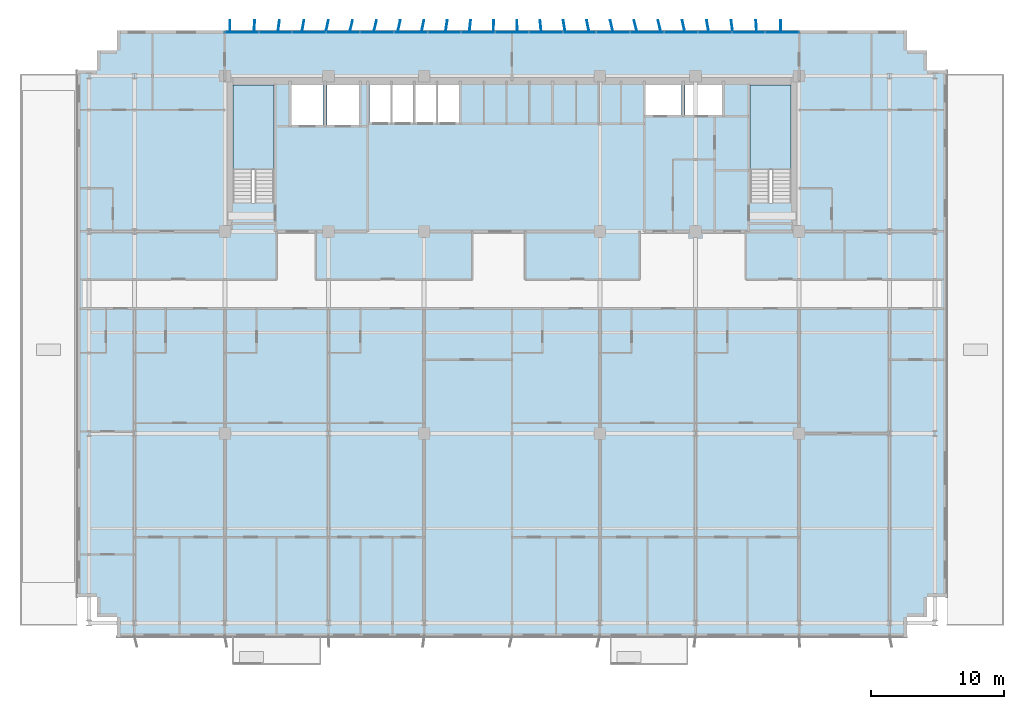
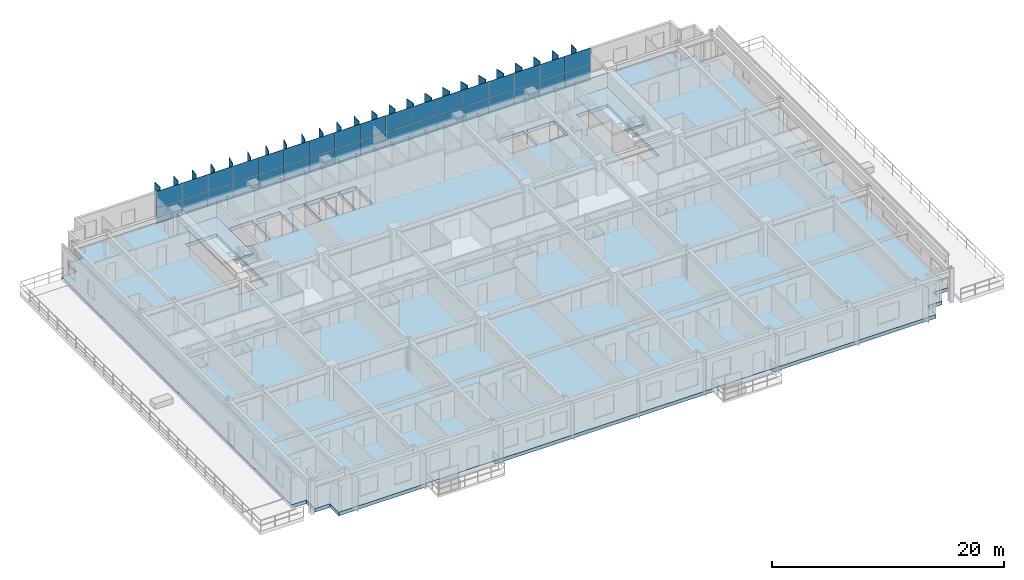
# One storey, part 14 of 26: 58 plates, 3 slabs, 3 elements without a shape of their own.
"""IFC4 building model written with IfcOpenShell, lengths in metres."""

from ifc_helpers import new_model, si_unit, direction, frame, origin, origin_2d, place, context, subcontext, project, spatial, polyline, rectangle, outline, extrude, source, transform, mapped, material, layer, layer_set, type_object, element, aggregate, save


model = new_model("IFC4")

# Units and contexts
model_context = context("Model", 3, precision=1e-05, world=origin(), true_north=direction((0.0, 1.0)))
body_context = subcontext(model_context, "Body", "Model", "MODEL_VIEW")
ifc_project = project(units=[si_unit("LENGTHUNIT", "METRE"), si_unit("AREAUNIT", "SQUARE_METRE"), si_unit("VOLUMEUNIT", "CUBIC_METRE"), si_unit("PLANEANGLEUNIT", "RADIAN"), si_unit("MASSUNIT", "GRAM", prefix="KILO")], contexts=[model_context])

# Site, building, storey
site_placement = place(None, origin())
site = spatial("IfcSite", under=ifc_project, at=site_placement, CompositionType="ELEMENT")
building_placement = place(site_placement, origin())
building = spatial("IfcBuilding", under=site, at=building_placement, Name="Trelvane Seafront Commons", CompositionType="ELEMENT")
storey_placement = place(building_placement, frame((0.0, 0.0, 23.5)))
storey = spatial("IfcBuildingStorey", under=building, at=storey_placement, Name="L05", CompositionType="ELEMENT", Elevation=23.5)

# Stair, slab
ifc_material_1 = material(Name="Concrete C40/50", Category="concrete")
stair_type_1 = type_object("IfcStairType", Name="ARCH-STR-ST-1-R20-180", PredefinedType="HALF_TURN_STAIR", material=ifc_material_1)
stair_1_placement = place(storey_placement, origin())
stair_1 = element("IfcStair", 1, at=stair_1_placement, inside=storey, type_object=stair_type_1, Name="L05 West Protected Firefighting Exit Stair ST-1", PredefinedType="HALF_TURN_STAIR")
ifc_layer_1 = layer(ifc_material_1, 0.199951171875, Name="ARCH-LND-200")
ifc_layer_set_1 = layer_set([ifc_layer_1], Name="Concrete C40/50")
slab_type_1 = type_object("IfcSlabType", Name="ARCH-LND-200", PredefinedType="LANDING", material=ifc_layer_set_1)
slab_1_placement = place(storey_placement, frame((0.0, 0.0, 1.60009765625)))
slab_1 = element("IfcSlab", 2, at=slab_1_placement, type_object=slab_type_1, Name="ST-1 landing 1", PredefinedType="LANDING", context=body_context, shape_type="SweptSolid", body=[
    extrude(outline(polyline([(19.300048828125, 38.070068359375), (19.300048828125, 44.39990234375), (16.199951171875, 44.39990234375), (16.199951171875, 38.070068359375), (19.300048828125, 38.070068359375)])), origin(), (0.0, 0.0, 1.0), 0.199951171875),
])
aggregate(stair_1, [slab_1])

stair_type_2 = type_object("IfcStairType", Name="ARCH-STR-ST-2-R20-180", PredefinedType="HALF_TURN_STAIR", material=ifc_material_1)
stair_2_placement = place(storey_placement, origin())
stair_2 = element("IfcStair", 3, at=stair_2_placement, inside=storey, type_object=stair_type_2, Name="L05 East Protected Firefighting Exit Stair ST-2", PredefinedType="HALF_TURN_STAIR")
slab_2_placement = place(storey_placement, frame((0.0, 0.0, 1.60009765625)))
slab_2 = element("IfcSlab", 4, at=slab_2_placement, type_object=slab_type_1, Name="ST-2 landing 1", PredefinedType="LANDING", context=body_context, shape_type="SweptSolid", body=[
    extrude(outline(polyline([(58.199951171875, 38.070068359375), (58.199951171875, 44.39990234375), (55.10009765625, 44.39990234375), (55.10009765625, 38.070068359375), (58.199951171875, 38.070068359375)])), origin(), (0.0, 0.0, 1.0), 0.199951171875),
])
aggregate(stair_2, [slab_2])

# Slab
ifc_material_2 = material(Name="Concrete C60/75", Category="concrete")
ifc_layer_2 = layer(ifc_material_2, 0.3798828125, Name="STR-SLB-T380")
ifc_layer_set_2 = layer_set([ifc_layer_2], Name="Concrete C60/75")
slab_type_2 = type_object("IfcSlabType", Name="STR-SLB-T380", PredefinedType="FLOOR", material=ifc_layer_set_2)
slab_3_placement = place(storey_placement, frame((0.0, 0.0, -0.3798828125)))
element("IfcSlab", 5, at=slab_3_placement, inside=storey, type_object=slab_type_2, Name="L05 Structural Floor Slab", PredefinedType="FLOOR", context=body_context, shape_type="SweptSolid", body=[
    extrude(outline(polyline([(7.5, 2.89990234375), (66.89990234375, 2.89990234375), (66.89990234375, 4.39990234375), (68.39990234375, 4.39990234375), (68.39990234375, 5.89990234375), (69.89990234375, 5.89990234375), (69.89990234375, 45.5), (68.39990234375, 45.5), (68.39990234375, 47.0), (66.89990234375, 47.0), (66.89990234375, 48.5), (7.5, 48.5), (7.5, 47.0), (6.0, 47.0), (6.0, 45.5), (4.5, 45.5), (4.5, 5.89990234375), (6.0, 5.89990234375), (6.0, 4.39990234375), (7.5, 4.39990234375), (7.5, 2.89990234375)]), holes=[polyline([(19.300048828125, 35.550048828125), (16.199951171875, 35.550048828125), (16.199951171875, 44.39990234375), (19.300048828125, 44.39990234375), (19.300048828125, 35.550048828125)]), polyline([(58.199951171875, 35.550048828125), (55.10009765625, 35.550048828125), (55.10009765625, 44.39990234375), (58.199951171875, 44.39990234375), (58.199951171875, 35.550048828125)]), polyline([(23.0, 41.39990234375), (20.60009765625, 41.39990234375), (20.60009765625, 44.60009765625), (23.0, 44.60009765625), (23.0, 41.39990234375)]), polyline([(23.300048828125, 41.39990234375), (23.300048828125, 44.60009765625), (25.699951171875, 44.60009765625), (25.699951171875, 41.39990234375), (23.300048828125, 41.39990234375)]), polyline([(26.5, 41.60009765625), (26.5, 44.60009765625), (28.1201171875, 44.60009765625), (28.1201171875, 41.60009765625), (26.5, 41.60009765625)]), polyline([(29.820068359375, 41.60009765625), (28.199951171875, 41.60009765625), (28.199951171875, 44.60009765625), (29.820068359375, 44.60009765625), (29.820068359375, 41.60009765625)]), polyline([(31.52001953125, 41.60009765625), (29.89990234375, 41.60009765625), (29.89990234375, 44.60009765625), (31.52001953125, 44.60009765625), (31.52001953125, 41.60009765625)]), polyline([(33.219970703125, 41.60009765625), (31.60009765625, 41.60009765625), (31.60009765625, 44.60009765625), (33.219970703125, 44.60009765625), (33.219970703125, 41.60009765625)]), polyline([(47.25, 42.14990234375), (47.25, 44.550048828125), (49.949951171875, 44.550048828125), (49.949951171875, 42.14990234375), (47.25, 42.14990234375)]), polyline([(50.199951171875, 42.14990234375), (50.199951171875, 44.550048828125), (53.0, 44.550048828125), (53.0, 42.14990234375), (50.199951171875, 42.14990234375)])]), origin(), (0.0, 0.0, 1.0), 0.3798828125),
])

# Curtain wall, plates
ifc_material_3 = material(Name="Anodised pale-silver aluminium", Category="aluminium")
curtain_wall_type = type_object("IfcCurtainWallType", Name="ARCH-CW2-LOWTOWER", PredefinedType="NOTDEFINED", material=ifc_material_3)
curtain_wall_placement = place(storey_placement, origin())
curtain_wall = element("IfcCurtainWall", 6, at=curtain_wall_placement, inside=storey, type_object=curtain_wall_type, Name="CW-L05-0029", PredefinedType="NOTDEFINED")
ifc_material_4 = material(Name="Low-E coastal double glazing", Category="glass")
ifc_layer_3 = layer(ifc_material_4, 0.033935546875, Name="ARCH-CW-GLAZ-34")
ifc_layer_set_3 = layer_set([ifc_layer_3], Name="Low-E coastal double glazing")
plate_type_1 = type_object("IfcPlateType", Name="ARCH-CW-GLAZ-34", PredefinedType="CURTAIN_PANEL", material=ifc_layer_set_3)
shared_shape_1 = source(origin(), body_context, "Body", "SweptSolid", [
    extrude(rectangle(XDim=2.51708984375, YDim=0.031982421875, at=origin_2d()), origin(), (0.0, 0.0, 1.0), 1.5849609375),
])
plate_1_placement = place(storey_placement, frame((16.87060546875, 48.3701171875, 0.0), z_axis=(0.0, 0.0, 1.0), x_axis=(1.0, 0.0, 0.0)))
plate_1 = element("IfcPlate", 7, at=plate_1_placement, type_object=plate_type_1, Name="CW-L05-0029-P00-1", PredefinedType="CURTAIN_PANEL", context=body_context, shape_type="MappedRepresentation", body=[
    mapped(shared_shape_1, transform((0.0, 0.0, 0.0), x_axis=(1.0, 0.0, 0.0), y_axis=(0.0, 1.0, 0.0), z_axis=(0.0, 0.0, 1.0), scale=1.0)),
])
plate_2_placement = place(storey_placement, frame((19.411865234375, 48.3701171875, 0.0), z_axis=(0.0, 0.0, 1.0), x_axis=(1.0, 0.0, 0.0)))
plate_2 = element("IfcPlate", 8, at=plate_2_placement, type_object=plate_type_1, Name="CW-L05-0029-P01-1", PredefinedType="CURTAIN_PANEL", context=body_context, shape_type="MappedRepresentation", body=[
    mapped(shared_shape_1, transform((0.0, 0.0, 0.0), x_axis=(1.0, 0.0, 0.0), y_axis=(0.0, 1.0, 0.0), z_axis=(0.0, 0.0, 1.0), scale=1.0)),
])
plate_3_placement = place(storey_placement, frame((21.952880859375, 48.3701171875, 0.0), z_axis=(0.0, 0.0, 1.0), x_axis=(1.0, 0.0, 0.0)))
plate_3 = element("IfcPlate", 9, at=plate_3_placement, type_object=plate_type_1, Name="CW-L05-0029-P02-1", PredefinedType="CURTAIN_PANEL", context=body_context, shape_type="MappedRepresentation", body=[
    mapped(shared_shape_1, transform((0.0, 0.0, 0.0), x_axis=(1.0, 0.0, 0.0), y_axis=(0.0, 1.0, 0.0), z_axis=(0.0, 0.0, 1.0), scale=1.0)),
])
plate_4_placement = place(storey_placement, frame((24.494140625, 48.3701171875, 0.0), z_axis=(0.0, 0.0, 1.0), x_axis=(1.0, 0.0, 0.0)))
plate_4 = element("IfcPlate", 10, at=plate_4_placement, type_object=plate_type_1, Name="CW-L05-0029-P03-1", PredefinedType="CURTAIN_PANEL", context=body_context, shape_type="MappedRepresentation", body=[
    mapped(shared_shape_1, transform((0.0, 0.0, 0.0), x_axis=(1.0, 0.0, 0.0), y_axis=(0.0, 1.0, 0.0), z_axis=(0.0, 0.0, 1.0), scale=1.0)),
])
plate_5_placement = place(storey_placement, frame((27.035400390625, 48.3701171875, 0.0), z_axis=(0.0, 0.0, 1.0), x_axis=(1.0, 0.0, 0.0)))
plate_5 = element("IfcPlate", 11, at=plate_5_placement, type_object=plate_type_1, Name="CW-L05-0029-P04-1", PredefinedType="CURTAIN_PANEL", context=body_context, shape_type="MappedRepresentation", body=[
    mapped(shared_shape_1, transform((0.0, 0.0, 0.0), x_axis=(1.0, 0.0, 0.0), y_axis=(0.0, 1.0, 0.0), z_axis=(0.0, 0.0, 1.0), scale=1.0)),
])
plate_6_placement = place(storey_placement, frame((29.576416015625, 48.3701171875, 0.0), z_axis=(0.0, 0.0, 1.0), x_axis=(1.0, 0.0, 0.0)))
plate_6 = element("IfcPlate", 12, at=plate_6_placement, type_object=plate_type_1, Name="CW-L05-0029-P05-1", PredefinedType="CURTAIN_PANEL", context=body_context, shape_type="MappedRepresentation", body=[
    mapped(shared_shape_1, transform((0.0, 0.0, 0.0), x_axis=(1.0, 0.0, 0.0), y_axis=(0.0, 1.0, 0.0), z_axis=(0.0, 0.0, 1.0), scale=1.0)),
])
plate_7_placement = place(storey_placement, frame((32.11767578125, 48.3701171875, 0.0), z_axis=(0.0, 0.0, 1.0), x_axis=(1.0, 0.0, 0.0)))
plate_7 = element("IfcPlate", 13, at=plate_7_placement, type_object=plate_type_1, Name="CW-L05-0029-P06-1", PredefinedType="CURTAIN_PANEL", context=body_context, shape_type="MappedRepresentation", body=[
    mapped(shared_shape_1, transform((0.0, 0.0, 0.0), x_axis=(1.0, 0.0, 0.0), y_axis=(0.0, 1.0, 0.0), z_axis=(0.0, 0.0, 1.0), scale=1.0)),
])
plate_8_placement = place(storey_placement, frame((34.65869140625, 48.3701171875, 0.0), z_axis=(0.0, 0.0, 1.0), x_axis=(1.0, 0.0, 0.0)))
plate_8 = element("IfcPlate", 14, at=plate_8_placement, type_object=plate_type_1, Name="CW-L05-0029-P07-1", PredefinedType="CURTAIN_PANEL", context=body_context, shape_type="MappedRepresentation", body=[
    mapped(shared_shape_1, transform((0.0, 0.0, 0.0), x_axis=(1.0, 0.0, 0.0), y_axis=(0.0, 1.0, 0.0), z_axis=(0.0, 0.0, 1.0), scale=1.0)),
])
plate_9_placement = place(storey_placement, frame((37.199951171875, 48.3701171875, 0.0), z_axis=(0.0, 0.0, 1.0), x_axis=(1.0, 0.0, 0.0)))
plate_9 = element("IfcPlate", 15, at=plate_9_placement, type_object=plate_type_1, Name="CW-L05-0029-P08-1", PredefinedType="CURTAIN_PANEL", context=body_context, shape_type="MappedRepresentation", body=[
    mapped(shared_shape_1, transform((0.0, 0.0, 0.0), x_axis=(1.0, 0.0, 0.0), y_axis=(0.0, 1.0, 0.0), z_axis=(0.0, 0.0, 1.0), scale=1.0)),
])
plate_10_placement = place(storey_placement, frame((39.7412109375, 48.3701171875, 0.0), z_axis=(0.0, 0.0, 1.0), x_axis=(1.0, 0.0, 0.0)))
plate_10 = element("IfcPlate", 16, at=plate_10_placement, type_object=plate_type_1, Name="CW-L05-0029-P09-1", PredefinedType="CURTAIN_PANEL", context=body_context, shape_type="MappedRepresentation", body=[
    mapped(shared_shape_1, transform((0.0, 0.0, 0.0), x_axis=(1.0, 0.0, 0.0), y_axis=(0.0, 1.0, 0.0), z_axis=(0.0, 0.0, 1.0), scale=1.0)),
])
plate_11_placement = place(storey_placement, frame((42.282470703125, 48.3701171875, 0.0), z_axis=(0.0, 0.0, 1.0), x_axis=(1.0, 0.0, 0.0)))
plate_11 = element("IfcPlate", 17, at=plate_11_placement, type_object=plate_type_1, Name="CW-L05-0029-P10-1", PredefinedType="CURTAIN_PANEL", context=body_context, shape_type="MappedRepresentation", body=[
    mapped(shared_shape_1, transform((0.0, 0.0, 0.0), x_axis=(1.0, 0.0, 0.0), y_axis=(0.0, 1.0, 0.0), z_axis=(0.0, 0.0, 1.0), scale=1.0)),
])
plate_12_placement = place(storey_placement, frame((44.823486328125, 48.3701171875, 0.0), z_axis=(0.0, 0.0, 1.0), x_axis=(1.0, 0.0, 0.0)))
plate_12 = element("IfcPlate", 18, at=plate_12_placement, type_object=plate_type_1, Name="CW-L05-0029-P11-1", PredefinedType="CURTAIN_PANEL", context=body_context, shape_type="MappedRepresentation", body=[
    mapped(shared_shape_1, transform((0.0, 0.0, 0.0), x_axis=(1.0, 0.0, 0.0), y_axis=(0.0, 1.0, 0.0), z_axis=(0.0, 0.0, 1.0), scale=1.0)),
])
plate_13_placement = place(storey_placement, frame((47.36474609375, 48.3701171875, 0.0), z_axis=(0.0, 0.0, 1.0), x_axis=(1.0, 0.0, 0.0)))
plate_13 = element("IfcPlate", 19, at=plate_13_placement, type_object=plate_type_1, Name="CW-L05-0029-P12-1", PredefinedType="CURTAIN_PANEL", context=body_context, shape_type="MappedRepresentation", body=[
    mapped(shared_shape_1, transform((0.0, 0.0, 0.0), x_axis=(1.0, 0.0, 0.0), y_axis=(0.0, 1.0, 0.0), z_axis=(0.0, 0.0, 1.0), scale=1.0)),
])
plate_14_placement = place(storey_placement, frame((49.906005859375, 48.3701171875, 0.0), z_axis=(0.0, 0.0, 1.0), x_axis=(1.0, 0.0, 0.0)))
plate_14 = element("IfcPlate", 20, at=plate_14_placement, type_object=plate_type_1, Name="CW-L05-0029-P13-1", PredefinedType="CURTAIN_PANEL", context=body_context, shape_type="MappedRepresentation", body=[
    mapped(shared_shape_1, transform((0.0, 0.0, 0.0), x_axis=(1.0, 0.0, 0.0), y_axis=(0.0, 1.0, 0.0), z_axis=(0.0, 0.0, 1.0), scale=1.0)),
])
plate_15_placement = place(storey_placement, frame((52.447021484375, 48.3701171875, 0.0), z_axis=(0.0, 0.0, 1.0), x_axis=(1.0, 0.0, 0.0)))
plate_15 = element("IfcPlate", 21, at=plate_15_placement, type_object=plate_type_1, Name="CW-L05-0029-P14-1", PredefinedType="CURTAIN_PANEL", context=body_context, shape_type="MappedRepresentation", body=[
    mapped(shared_shape_1, transform((0.0, 0.0, 0.0), x_axis=(1.0, 0.0, 0.0), y_axis=(0.0, 1.0, 0.0), z_axis=(0.0, 0.0, 1.0), scale=1.0)),
])
plate_16_placement = place(storey_placement, frame((54.98828125, 48.3701171875, 0.0), z_axis=(0.0, 0.0, 1.0), x_axis=(1.0, 0.0, 0.0)))
plate_16 = element("IfcPlate", 22, at=plate_16_placement, type_object=plate_type_1, Name="CW-L05-0029-P15-1", PredefinedType="CURTAIN_PANEL", context=body_context, shape_type="MappedRepresentation", body=[
    mapped(shared_shape_1, transform((0.0, 0.0, 0.0), x_axis=(1.0, 0.0, 0.0), y_axis=(0.0, 1.0, 0.0), z_axis=(0.0, 0.0, 1.0), scale=1.0)),
])
plate_17_placement = place(storey_placement, frame((57.529296875, 48.3701171875, 0.0), z_axis=(0.0, 0.0, 1.0), x_axis=(1.0, 0.0, 0.0)))
plate_17 = element("IfcPlate", 23, at=plate_17_placement, type_object=plate_type_1, Name="CW-L05-0029-P16-1", PredefinedType="CURTAIN_PANEL", context=body_context, shape_type="MappedRepresentation", body=[
    mapped(shared_shape_1, transform((0.0, 0.0, 0.0), x_axis=(1.0, 0.0, 0.0), y_axis=(0.0, 1.0, 0.0), z_axis=(0.0, 0.0, 1.0), scale=1.0)),
])
shared_shape_2 = source(origin(), body_context, "Body", "SweptSolid", [
    extrude(rectangle(XDim=2.51708984375, YDim=0.031982421875, at=origin_2d()), origin(), (0.0, 0.0, 1.0), 1.718994140625),
])
plate_18_placement = place(storey_placement, frame((16.87060546875, 48.3701171875, 1.62109375), z_axis=(0.0, 0.0, 1.0), x_axis=(1.0, 0.0, 0.0)))
plate_18 = element("IfcPlate", 24, at=plate_18_placement, type_object=plate_type_1, Name="CW-L05-0029-P00-2", PredefinedType="CURTAIN_PANEL", context=body_context, shape_type="MappedRepresentation", body=[
    mapped(shared_shape_2, transform((0.0, 0.0, 0.0), x_axis=(1.0, 0.0, 0.0), y_axis=(0.0, 1.0, 0.0), z_axis=(0.0, 0.0, 1.0), scale=1.0)),
])
plate_19_placement = place(storey_placement, frame((19.411865234375, 48.3701171875, 1.62109375), z_axis=(0.0, 0.0, 1.0), x_axis=(1.0, 0.0, 0.0)))
plate_19 = element("IfcPlate", 25, at=plate_19_placement, type_object=plate_type_1, Name="CW-L05-0029-P01-2", PredefinedType="CURTAIN_PANEL", context=body_context, shape_type="MappedRepresentation", body=[
    mapped(shared_shape_2, transform((0.0, 0.0, 0.0), x_axis=(1.0, 0.0, 0.0), y_axis=(0.0, 1.0, 0.0), z_axis=(0.0, 0.0, 1.0), scale=1.0)),
])
plate_20_placement = place(storey_placement, frame((21.952880859375, 48.3701171875, 1.62109375), z_axis=(0.0, 0.0, 1.0), x_axis=(1.0, 0.0, 0.0)))
plate_20 = element("IfcPlate", 26, at=plate_20_placement, type_object=plate_type_1, Name="CW-L05-0029-P02-2", PredefinedType="CURTAIN_PANEL", context=body_context, shape_type="MappedRepresentation", body=[
    mapped(shared_shape_2, transform((0.0, 0.0, 0.0), x_axis=(1.0, 0.0, 0.0), y_axis=(0.0, 1.0, 0.0), z_axis=(0.0, 0.0, 1.0), scale=1.0)),
])
plate_21_placement = place(storey_placement, frame((24.494140625, 48.3701171875, 1.62109375), z_axis=(0.0, 0.0, 1.0), x_axis=(1.0, 0.0, 0.0)))
plate_21 = element("IfcPlate", 27, at=plate_21_placement, type_object=plate_type_1, Name="CW-L05-0029-P03-2", PredefinedType="CURTAIN_PANEL", context=body_context, shape_type="MappedRepresentation", body=[
    mapped(shared_shape_2, transform((0.0, 0.0, 0.0), x_axis=(1.0, 0.0, 0.0), y_axis=(0.0, 1.0, 0.0), z_axis=(0.0, 0.0, 1.0), scale=1.0)),
])
plate_22_placement = place(storey_placement, frame((27.035400390625, 48.3701171875, 1.62109375), z_axis=(0.0, 0.0, 1.0), x_axis=(1.0, 0.0, 0.0)))
plate_22 = element("IfcPlate", 28, at=plate_22_placement, type_object=plate_type_1, Name="CW-L05-0029-P04-2", PredefinedType="CURTAIN_PANEL", context=body_context, shape_type="MappedRepresentation", body=[
    mapped(shared_shape_2, transform((0.0, 0.0, 0.0), x_axis=(1.0, 0.0, 0.0), y_axis=(0.0, 1.0, 0.0), z_axis=(0.0, 0.0, 1.0), scale=1.0)),
])
plate_23_placement = place(storey_placement, frame((29.576416015625, 48.3701171875, 1.62109375), z_axis=(0.0, 0.0, 1.0), x_axis=(1.0, 0.0, 0.0)))
plate_23 = element("IfcPlate", 29, at=plate_23_placement, type_object=plate_type_1, Name="CW-L05-0029-P05-2", PredefinedType="CURTAIN_PANEL", context=body_context, shape_type="MappedRepresentation", body=[
    mapped(shared_shape_2, transform((0.0, 0.0, 0.0), x_axis=(1.0, 0.0, 0.0), y_axis=(0.0, 1.0, 0.0), z_axis=(0.0, 0.0, 1.0), scale=1.0)),
])
plate_24_placement = place(storey_placement, frame((32.11767578125, 48.3701171875, 1.62109375), z_axis=(0.0, 0.0, 1.0), x_axis=(1.0, 0.0, 0.0)))
plate_24 = element("IfcPlate", 30, at=plate_24_placement, type_object=plate_type_1, Name="CW-L05-0029-P06-2", PredefinedType="CURTAIN_PANEL", context=body_context, shape_type="MappedRepresentation", body=[
    mapped(shared_shape_2, transform((0.0, 0.0, 0.0), x_axis=(1.0, 0.0, 0.0), y_axis=(0.0, 1.0, 0.0), z_axis=(0.0, 0.0, 1.0), scale=1.0)),
])
plate_25_placement = place(storey_placement, frame((34.65869140625, 48.3701171875, 1.62109375), z_axis=(0.0, 0.0, 1.0), x_axis=(1.0, 0.0, 0.0)))
plate_25 = element("IfcPlate", 31, at=plate_25_placement, type_object=plate_type_1, Name="CW-L05-0029-P07-2", PredefinedType="CURTAIN_PANEL", context=body_context, shape_type="MappedRepresentation", body=[
    mapped(shared_shape_2, transform((0.0, 0.0, 0.0), x_axis=(1.0, 0.0, 0.0), y_axis=(0.0, 1.0, 0.0), z_axis=(0.0, 0.0, 1.0), scale=1.0)),
])
plate_26_placement = place(storey_placement, frame((37.199951171875, 48.3701171875, 1.62109375), z_axis=(0.0, 0.0, 1.0), x_axis=(1.0, 0.0, 0.0)))
plate_26 = element("IfcPlate", 32, at=plate_26_placement, type_object=plate_type_1, Name="CW-L05-0029-P08-2", PredefinedType="CURTAIN_PANEL", context=body_context, shape_type="MappedRepresentation", body=[
    mapped(shared_shape_2, transform((0.0, 0.0, 0.0), x_axis=(1.0, 0.0, 0.0), y_axis=(0.0, 1.0, 0.0), z_axis=(0.0, 0.0, 1.0), scale=1.0)),
])
plate_27_placement = place(storey_placement, frame((39.7412109375, 48.3701171875, 1.62109375), z_axis=(0.0, 0.0, 1.0), x_axis=(1.0, 0.0, 0.0)))
plate_27 = element("IfcPlate", 33, at=plate_27_placement, type_object=plate_type_1, Name="CW-L05-0029-P09-2", PredefinedType="CURTAIN_PANEL", context=body_context, shape_type="MappedRepresentation", body=[
    mapped(shared_shape_2, transform((0.0, 0.0, 0.0), x_axis=(1.0, 0.0, 0.0), y_axis=(0.0, 1.0, 0.0), z_axis=(0.0, 0.0, 1.0), scale=1.0)),
])
plate_28_placement = place(storey_placement, frame((42.282470703125, 48.3701171875, 1.62109375), z_axis=(0.0, 0.0, 1.0), x_axis=(1.0, 0.0, 0.0)))
plate_28 = element("IfcPlate", 34, at=plate_28_placement, type_object=plate_type_1, Name="CW-L05-0029-P10-2", PredefinedType="CURTAIN_PANEL", context=body_context, shape_type="MappedRepresentation", body=[
    mapped(shared_shape_2, transform((0.0, 0.0, 0.0), x_axis=(1.0, 0.0, 0.0), y_axis=(0.0, 1.0, 0.0), z_axis=(0.0, 0.0, 1.0), scale=1.0)),
])
plate_29_placement = place(storey_placement, frame((44.823486328125, 48.3701171875, 1.62109375), z_axis=(0.0, 0.0, 1.0), x_axis=(1.0, 0.0, 0.0)))
plate_29 = element("IfcPlate", 35, at=plate_29_placement, type_object=plate_type_1, Name="CW-L05-0029-P11-2", PredefinedType="CURTAIN_PANEL", context=body_context, shape_type="MappedRepresentation", body=[
    mapped(shared_shape_2, transform((0.0, 0.0, 0.0), x_axis=(1.0, 0.0, 0.0), y_axis=(0.0, 1.0, 0.0), z_axis=(0.0, 0.0, 1.0), scale=1.0)),
])
plate_30_placement = place(storey_placement, frame((47.36474609375, 48.3701171875, 1.62109375), z_axis=(0.0, 0.0, 1.0), x_axis=(1.0, 0.0, 0.0)))
plate_30 = element("IfcPlate", 36, at=plate_30_placement, type_object=plate_type_1, Name="CW-L05-0029-P12-2", PredefinedType="CURTAIN_PANEL", context=body_context, shape_type="MappedRepresentation", body=[
    mapped(shared_shape_2, transform((0.0, 0.0, 0.0), x_axis=(1.0, 0.0, 0.0), y_axis=(0.0, 1.0, 0.0), z_axis=(0.0, 0.0, 1.0), scale=1.0)),
])
plate_31_placement = place(storey_placement, frame((49.906005859375, 48.3701171875, 1.62109375), z_axis=(0.0, 0.0, 1.0), x_axis=(1.0, 0.0, 0.0)))
plate_31 = element("IfcPlate", 37, at=plate_31_placement, type_object=plate_type_1, Name="CW-L05-0029-P13-2", PredefinedType="CURTAIN_PANEL", context=body_context, shape_type="MappedRepresentation", body=[
    mapped(shared_shape_2, transform((0.0, 0.0, 0.0), x_axis=(1.0, 0.0, 0.0), y_axis=(0.0, 1.0, 0.0), z_axis=(0.0, 0.0, 1.0), scale=1.0)),
])
plate_32_placement = place(storey_placement, frame((52.447021484375, 48.3701171875, 1.62109375), z_axis=(0.0, 0.0, 1.0), x_axis=(1.0, 0.0, 0.0)))
plate_32 = element("IfcPlate", 38, at=plate_32_placement, type_object=plate_type_1, Name="CW-L05-0029-P14-2", PredefinedType="CURTAIN_PANEL", context=body_context, shape_type="MappedRepresentation", body=[
    mapped(shared_shape_2, transform((0.0, 0.0, 0.0), x_axis=(1.0, 0.0, 0.0), y_axis=(0.0, 1.0, 0.0), z_axis=(0.0, 0.0, 1.0), scale=1.0)),
])
plate_33_placement = place(storey_placement, frame((54.98828125, 48.3701171875, 1.62109375), z_axis=(0.0, 0.0, 1.0), x_axis=(1.0, 0.0, 0.0)))
plate_33 = element("IfcPlate", 39, at=plate_33_placement, type_object=plate_type_1, Name="CW-L05-0029-P15-2", PredefinedType="CURTAIN_PANEL", context=body_context, shape_type="MappedRepresentation", body=[
    mapped(shared_shape_2, transform((0.0, 0.0, 0.0), x_axis=(1.0, 0.0, 0.0), y_axis=(0.0, 1.0, 0.0), z_axis=(0.0, 0.0, 1.0), scale=1.0)),
])
plate_34_placement = place(storey_placement, frame((57.529296875, 48.3701171875, 1.62109375), z_axis=(0.0, 0.0, 1.0), x_axis=(1.0, 0.0, 0.0)))
plate_34 = element("IfcPlate", 40, at=plate_34_placement, type_object=plate_type_1, Name="CW-L05-0029-P16-2", PredefinedType="CURTAIN_PANEL", context=body_context, shape_type="MappedRepresentation", body=[
    mapped(shared_shape_2, transform((0.0, 0.0, 0.0), x_axis=(1.0, 0.0, 0.0), y_axis=(0.0, 1.0, 0.0), z_axis=(0.0, 0.0, 1.0), scale=1.0)),
])
aggregate(curtain_wall, [plate_1, plate_18, plate_2, plate_19, plate_3, plate_20, plate_4, plate_21, plate_5, plate_22, plate_6, plate_23, plate_7, plate_24, plate_8, plate_25, plate_9, plate_26, plate_10, plate_27, plate_11, plate_28, plate_12, plate_29, plate_13, plate_30, plate_14, plate_31, plate_15, plate_32, plate_16, plate_33, plate_17, plate_34])

# Plates
ifc_layer_4 = layer(ifc_material_3, 0.06005859375, Name="ARCH-PLATE-FIN900")
ifc_layer_set_4 = layer_set([ifc_layer_4], Name="Anodised pale-silver aluminium")
plate_type_2 = type_object("IfcPlateType", Name="ARCH-PLATE-FIN900", PredefinedType="USERDEFINED", material=ifc_layer_set_4)
shared_shape_3 = source(origin(), body_context, "Body", "SweptSolid", [
    extrude(rectangle(XDim=0.89990234375, YDim=0.06005859375, at=origin_2d()), origin(), (0.0, 0.0, 1.0), 3.639892578125),
])
for number, where, z_axis, x_axis, name in (
    (41, (16.0, 48.85009765625, -0.02001953125), (0.0, 0.0, 1.0), (0.0, 1.0, 0.0), "FIN-L05-00001"),
    (42, (17.82958984375, 48.84912109375, -0.02001953125), (0.0, 0.0, 1.0), (0.0658925088, 0.997826727084, 0.0), "FIN-L05-00002"),
    (43, (19.656982421875, 48.846435546875, -0.02001953125), (0.0, 0.0, 1.0), (0.126659501337, 0.991946253948, 0.0), "FIN-L05-00003"),
    (44, (21.47998046875, 48.8427734375, -0.02001953125), (0.0, 0.0, 1.0), (0.177663589849, 0.984091280747, 0.0), "FIN-L05-00004"),
    (45, (23.296875, 48.83935546875, -0.02001953125), (0.0, 0.0, 1.0), (0.215224524625, 0.976564592846, 0.0), "FIN-L05-00005"),
    (46, (25.106689453125, 48.837158203125, -0.02001953125), (0.0, 0.0, 1.0), (0.236989058114, 0.971512319188, 0.0), "FIN-L05-00006"),
    (47, (26.90869140625, 48.836669921875, -0.02001953125), (0.0, 0.0, 1.0), (0.241332518054, 0.970442484504, 0.0), "FIN-L05-00007"),
    (48, (30.4892578125, 48.841064453125, -0.02001953125), (0.0, 0.0, 1.0), (0.198338229227, 0.980133637229, 0.0), "FIN-L05-00009"),
    (49, (32.26904296875, 48.8447265625, -0.02001953125), (0.0, 0.0, 1.0), (0.153560163453, 0.988139299998, 0.0), "FIN-L05-00010"),
    (50, (34.043701171875, 48.847900390625, -0.02001953125), (0.0, 0.0, 1.0), (0.097226808625, 0.995262250708, 0.0), "FIN-L05-00011"),
    (51, (35.81494140625, 48.849853515625, -0.02001953125), (0.0, 0.0, 1.0), (0.03322320873, 0.999447956825, 0.0), "FIN-L05-00012"),
    (52, (37.5849609375, 48.849853515625, -0.02001953125), (0.0, 0.0, 1.0), (-0.03322320873, 0.999447956825, 0.0), "FIN-L05-00013"),
    (53, (39.356201171875, 48.847900390625, -0.02001953125), (0.0, 0.0, 1.0), (-0.097226808625, 0.995262250708, 0.0), "FIN-L05-00014"),
    (54, (41.130859375, 48.8447265625, -0.02001953125), (0.0, 0.0, 1.0), (-0.153560163453, 0.988139299998, 0.0), "FIN-L05-00015"),
    (55, (42.910888671875, 48.841064453125, -0.02001953125), (0.0, 0.0, 1.0), (-0.198338229227, 0.980133637229, 0.0), "FIN-L05-00016"),
    (56, (46.491455078125, 48.836669921875, -0.02001953125), (0.0, 0.0, 1.0), (-0.241332518054, 0.970442484504, 0.0), "FIN-L05-00018"),
    (57, (48.29345703125, 48.837158203125, -0.02001953125), (0.0, 0.0, 1.0), (-0.236989058114, 0.971512319188, 0.0), "FIN-L05-00019"),
    (58, (50.10302734375, 48.83935546875, -0.02001953125), (0.0, 0.0, 1.0), (-0.215224524625, 0.976564592846, 0.0), "FIN-L05-00020"),
    (59, (51.920166015625, 48.8427734375, -0.02001953125), (0.0, 0.0, 1.0), (-0.177663589849, 0.984091280747, 0.0), "FIN-L05-00021"),
    (60, (53.742919921875, 48.846435546875, -0.02001953125), (0.0, 0.0, 1.0), (-0.126659501337, 0.991946253948, 0.0), "FIN-L05-00022"),
    (61, (55.5703125, 48.84912109375, -0.02001953125), (0.0, 0.0, 1.0), (-0.0658925088, 0.997826727084, 0.0), "FIN-L05-00023"),
    (62, (57.39990234375, 48.85009765625, -0.02001953125), (0.0, 0.0, 1.0), (0.0, 1.0, 0.0), "FIN-L05-00024"),
):
    element("IfcPlate", number, at=place(storey_placement, frame(where, z_axis=z_axis, x_axis=x_axis)), inside=storey, type_object=plate_type_2, Name=name, ObjectType="FIN", PredefinedType="USERDEFINED", context=body_context, shape_type="MappedRepresentation", body=[
        mapped(shared_shape_3, transform((0.0, 0.0, 0.0), x_axis=(1.0, 0.0, 0.0), y_axis=(0.0, 1.0, 0.0), z_axis=(0.0, 0.0, 1.0), scale=1.0)),
    ])
shared_shape_4 = source(origin(), body_context, "Body", "SweptSolid", [
    extrude(rectangle(XDim=0.900146484375, YDim=0.06005859375, at=origin_2d()), origin(), (0.0, 0.0, 1.0), 3.639892578125),
])
for number, where, z_axis, x_axis, name in (
    (63, (28.70263671875, 48.838134765625, -0.02001953125), (0.0, 0.0, 1.0), (0.228209832809, 0.973611972096, 0.0), "FIN-L05-00008"),
    (64, (44.697265625, 48.838134765625, -0.02001953125), (0.0, 0.0, 1.0), (-0.228209832809, 0.973611972096, 0.0), "FIN-L05-00017"),
):
    element("IfcPlate", number, at=place(storey_placement, frame(where, z_axis=z_axis, x_axis=x_axis)), inside=storey, type_object=plate_type_2, Name=name, ObjectType="FIN", PredefinedType="USERDEFINED", context=body_context, shape_type="MappedRepresentation", body=[
        mapped(shared_shape_4, transform((0.0, 0.0, 0.0), x_axis=(1.0, 0.0, 0.0), y_axis=(0.0, 1.0, 0.0), z_axis=(0.0, 0.0, 1.0), scale=1.0)),
    ])

save(model, "model.ifc")
